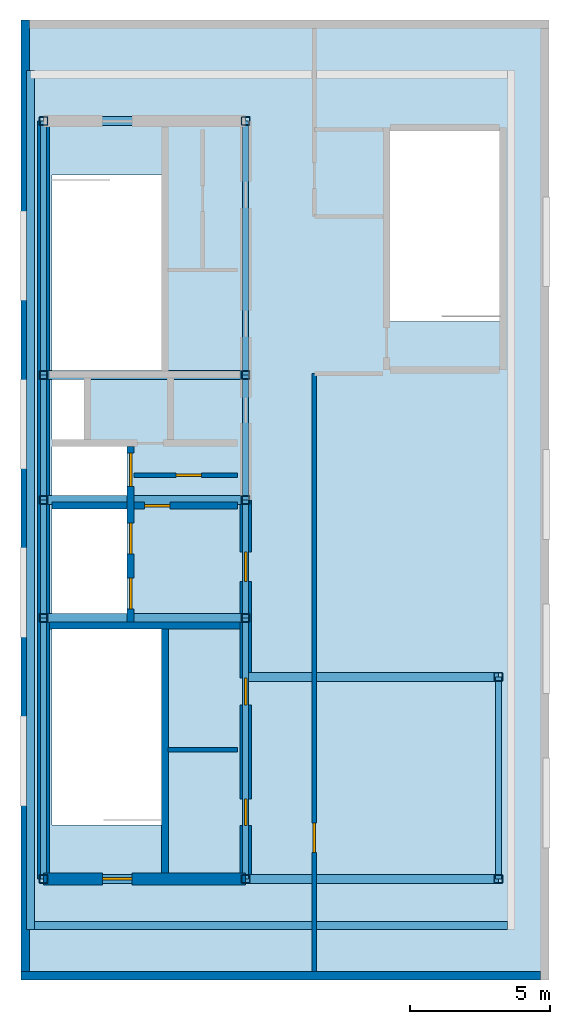
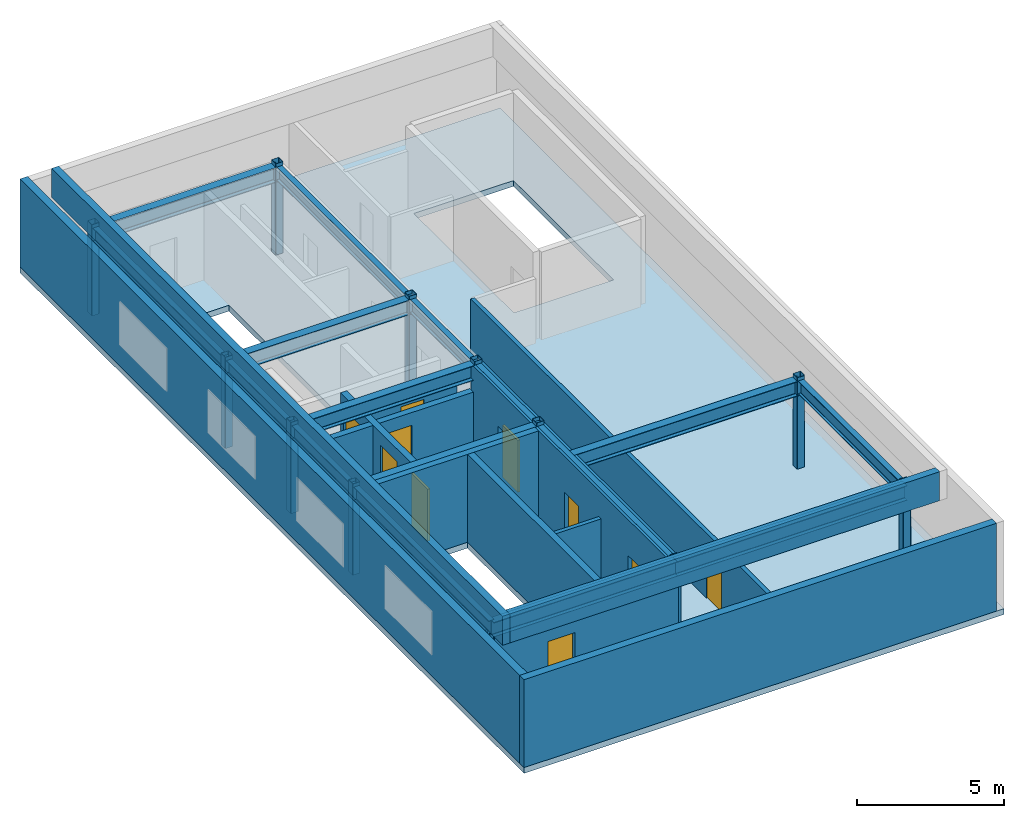
# One storey, part 1 of 3: 16 beams, 14 walls, 12 columns, 10 doors, 1 slab, 10 openings.
"""IFC4 building model written with IfcOpenShell, lengths in metres."""

from ifc_helpers import new_model, entity, si_unit, converted_unit, direction, frame, origin_with_axes, origin_2d_with_axis, place, context, subcontext, project, spatial, polyline, rectangle, hollow_rectangle, i_section, outline, extrude, material, layer, layer_set, material_profile, profile_set, type_object, element, fill, save


model = new_model("IFC4")

# Units and contexts
model_context = context("Model", 3, precision=1e-05, world=origin_with_axes(), true_north=direction((0.0, 1.0)))
body_context = subcontext(model_context, "Body", "Model", "MODEL_VIEW")
ifc_project = project(units=[si_unit("LENGTHUNIT", "METRE"), si_unit("AREAUNIT", "SQUARE_METRE"), si_unit("VOLUMEUNIT", "CUBIC_METRE"), converted_unit("PLANEANGLEUNIT", "DEGREE", entity("IfcPlaneAngleMeasure", 0.017453292519943295), si_unit("PLANEANGLEUNIT", "RADIAN"), dimensions=[0, 0, 0, 0, 0, 0, 0]), si_unit("MASSUNIT", "GRAM", prefix="KILO"), si_unit("THERMODYNAMICTEMPERATUREUNIT", "KELVIN")], contexts=[model_context])

# Site, building, storey
site_placement = place(None, origin_with_axes())
site = spatial("IfcSite", under=ifc_project, at=site_placement, CompositionType="ELEMENT")
building_placement = place(site_placement, origin_with_axes())
building = spatial("IfcBuilding", under=site, at=building_placement, Name="Varnlund Millrace Tower", CompositionType="ELEMENT")
storey_placement = place(building_placement, frame((0.0, 0.0, 332.1), z_axis=(0.0, 0.0, 1.0), x_axis=(1.0, 0.0, 0.0)))
storey = spatial("IfcBuildingStorey", under=building, at=storey_placement, Name="L82", CompositionType="ELEMENT", Elevation=332.1)

# Columns
ifc_material_1 = material(Name="Steel ASTM A500 Grade C", Category="steel")
ifc_material_profile_1 = material_profile(ifc_material_1, hollow_rectangle(XDim=0.305, YDim=0.305, WallThickness=0.0147, InnerFilletRadius=0.015, OuterFilletRadius=0.03, at=origin_2d_with_axis()), Name="Steel ASTM A500 Grade C")
ifc_profile_set_1 = profile_set([ifc_material_profile_1], Name="Steel ASTM A500 Grade C")
column_type = type_object("IfcColumnType", Name="Type-Col-Crn-HSS12", PredefinedType="COLUMN", material=ifc_profile_set_1)
for number, where, z_axis, x_axis, name in (
    (1, (11.4, 10.8, 0.0), (0.0, 0.0, 1.0), (1.0, 0.0, 0.0), "Type-Col-Crn-HSS12"),
    (2, (11.4, 20.1, 0.0), (0.0, 0.0, 1.0), (1.0, 0.0, 0.0), "Type-Col-Crn-HSS12"),
    (3, (11.4, 24.3, 0.0), (0.0, 0.0, 1.0), (1.0, 0.0, 0.0), "Type-Col-Crn-HSS12"),
    (4, (11.4, 28.75, 0.0), (0.0, 0.0, 1.0), (1.0, 0.0, 0.0), "Type-Col-Crn-HSS12"),
    (5, (11.4, 37.8, 0.0), (0.0, 0.0, 1.0), (1.0, 0.0, 0.0), "Type-Col-Crn-HSS12"),
    (6, (18.6, 10.8, 0.0), (0.0, 0.0, 1.0), (1.0, 0.0, 0.0), "Type-Col-Crn-HSS12"),
    (7, (18.6, 20.1, 0.0), (0.0, 0.0, 1.0), (1.0, 0.0, 0.0), "Type-Col-Crn-HSS12"),
    (8, (18.6, 24.3, 0.0), (0.0, 0.0, 1.0), (1.0, 0.0, 0.0), "Type-Col-Crn-HSS12"),
    (9, (18.6, 28.75, 0.0), (0.0, 0.0, 1.0), (1.0, 0.0, 0.0), "Type-Col-Crn-HSS12"),
    (10, (18.6, 37.8, 0.0), (0.0, 0.0, 1.0), (1.0, 0.0, 0.0), "Type-Col-Crn-HSS12"),
    (11, (27.6, 10.8, 0.0), (0.0, 0.0, 1.0), (1.0, 0.0, 0.0), "Type-Col-Crn-HSS12"),
    (12, (27.6, 18.0, 0.0), (0.0, 0.0, 1.0), (1.0, 0.0, 0.0), "Type-Col-Crn-HSS12"),
):
    element("IfcColumn", number, at=place(storey_placement, frame(where, z_axis=z_axis, x_axis=x_axis)), inside=storey, type_object=column_type, Name=name, PredefinedType="COLUMN", context=body_context, shape_type="SweptSolid", body=[
        extrude(hollow_rectangle(XDim=0.305, YDim=0.305, WallThickness=0.0147, InnerFilletRadius=0.015, OuterFilletRadius=0.03, at=origin_2d_with_axis()), origin_with_axes(), (0.0, 0.0, 1.0), 3.783),
    ])

# Beams
ifc_material_2 = material(Name="Steel ASTM A992 Grade 50", Category="steel")
ifc_material_profile_2 = material_profile(ifc_material_2, i_section(OverallWidth=0.214, OverallDepth=0.549, WebThickness=0.0147, FlangeThickness=0.0236, FilletRadius=0.015, at=origin_2d_with_axis()), Name="Steel ASTM A992 Grade 50")
ifc_profile_set_2 = profile_set([ifc_material_profile_2], Name="Steel ASTM A992 Grade 50")
beam_type_1 = type_object("IfcBeamType", Name="Type-Beam-W21X93", PredefinedType="BEAM", material=ifc_profile_set_2)
beam_1_placement = place(storey_placement, frame((11.4, 10.8, 3.3655), z_axis=(0.0, 1.0, 0.0), x_axis=(-1.0, 0.0, 0.0)))
element("IfcBeam", 13, at=beam_1_placement, inside=storey, type_object=beam_type_1, Name="Type-Beam-W21X93", PredefinedType="BEAM", context=body_context, shape_type="SweptSolid", body=[
    extrude(i_section(OverallWidth=0.214, OverallDepth=0.549, WebThickness=0.0147, FlangeThickness=0.0236, FilletRadius=0.015, at=origin_2d_with_axis()), origin_with_axes(), (0.0, 0.0, 1.0), 9.3),
])
beam_2_placement = place(storey_placement, frame((11.4, 20.1, 3.3655), z_axis=(0.0, 1.0, 0.0), x_axis=(-1.0, 0.0, 0.0)))
element("IfcBeam", 14, at=beam_2_placement, inside=storey, type_object=beam_type_1, Name="Type-Beam-W21X93", PredefinedType="BEAM", context=body_context, shape_type="SweptSolid", body=[
    extrude(i_section(OverallWidth=0.214, OverallDepth=0.549, WebThickness=0.0147, FlangeThickness=0.0236, FilletRadius=0.015, at=origin_2d_with_axis()), origin_with_axes(), (0.0, 0.0, 1.0), 4.2),
])
beam_3_placement = place(storey_placement, frame((11.4, 24.3, 3.3655), z_axis=(0.0, 1.0, 0.0), x_axis=(-1.0, 0.0, 0.0)))
element("IfcBeam", 15, at=beam_3_placement, inside=storey, type_object=beam_type_1, Name="Type-Beam-W21X93", PredefinedType="BEAM", context=body_context, shape_type="SweptSolid", body=[
    extrude(i_section(OverallWidth=0.214, OverallDepth=0.549, WebThickness=0.0147, FlangeThickness=0.0236, FilletRadius=0.015, at=origin_2d_with_axis()), origin_with_axes(), (0.0, 0.0, 1.0), 4.45),
])
beam_4_placement = place(storey_placement, frame((11.4, 28.75, 3.3655), z_axis=(0.0, 1.0, 0.0), x_axis=(-1.0, 0.0, 0.0)))
element("IfcBeam", 16, at=beam_4_placement, inside=storey, type_object=beam_type_1, Name="Type-Beam-W21X93", PredefinedType="BEAM", context=body_context, shape_type="SweptSolid", body=[
    extrude(i_section(OverallWidth=0.214, OverallDepth=0.549, WebThickness=0.0147, FlangeThickness=0.0236, FilletRadius=0.015, at=origin_2d_with_axis()), origin_with_axes(), (0.0, 0.0, 1.0), 9.05),
])
beam_5_placement = place(storey_placement, frame((18.6, 10.8, 3.3655), z_axis=(0.0, 1.0, 0.0), x_axis=(-1.0, 0.0, 0.0)))
element("IfcBeam", 17, at=beam_5_placement, inside=storey, type_object=beam_type_1, Name="Type-Beam-W21X93", PredefinedType="BEAM", context=body_context, shape_type="SweptSolid", body=[
    extrude(i_section(OverallWidth=0.214, OverallDepth=0.549, WebThickness=0.0147, FlangeThickness=0.0236, FilletRadius=0.015, at=origin_2d_with_axis()), origin_with_axes(), (0.0, 0.0, 1.0), 9.3),
])
beam_6_placement = place(storey_placement, frame((18.6, 20.1, 3.3655), z_axis=(0.0, 1.0, 0.0), x_axis=(-1.0, 0.0, 0.0)))
element("IfcBeam", 18, at=beam_6_placement, inside=storey, type_object=beam_type_1, Name="Type-Beam-W21X93", PredefinedType="BEAM", context=body_context, shape_type="SweptSolid", body=[
    extrude(i_section(OverallWidth=0.214, OverallDepth=0.549, WebThickness=0.0147, FlangeThickness=0.0236, FilletRadius=0.015, at=origin_2d_with_axis()), origin_with_axes(), (0.0, 0.0, 1.0), 4.2),
])
beam_7_placement = place(storey_placement, frame((18.6, 24.3, 3.3655), z_axis=(0.0, 1.0, 0.0), x_axis=(-1.0, 0.0, 0.0)))
element("IfcBeam", 19, at=beam_7_placement, inside=storey, type_object=beam_type_1, Name="Type-Beam-W21X93", PredefinedType="BEAM", context=body_context, shape_type="SweptSolid", body=[
    extrude(i_section(OverallWidth=0.214, OverallDepth=0.549, WebThickness=0.0147, FlangeThickness=0.0236, FilletRadius=0.015, at=origin_2d_with_axis()), origin_with_axes(), (0.0, 0.0, 1.0), 4.45),
])
beam_8_placement = place(storey_placement, frame((18.6, 28.75, 3.3655), z_axis=(0.0, 1.0, 0.0), x_axis=(-1.0, 0.0, 0.0)))
element("IfcBeam", 20, at=beam_8_placement, inside=storey, type_object=beam_type_1, Name="Type-Beam-W21X93", PredefinedType="BEAM", context=body_context, shape_type="SweptSolid", body=[
    extrude(i_section(OverallWidth=0.214, OverallDepth=0.549, WebThickness=0.0147, FlangeThickness=0.0236, FilletRadius=0.015, at=origin_2d_with_axis()), origin_with_axes(), (0.0, 0.0, 1.0), 9.05),
])
beam_9_placement = place(storey_placement, frame((27.6, 10.8, 3.3655), z_axis=(0.0, 1.0, 0.0), x_axis=(-1.0, 0.0, 0.0)))
element("IfcBeam", 21, at=beam_9_placement, inside=storey, type_object=beam_type_1, Name="Type-Beam-W21X93", PredefinedType="BEAM", context=body_context, shape_type="SweptSolid", body=[
    extrude(i_section(OverallWidth=0.214, OverallDepth=0.549, WebThickness=0.0147, FlangeThickness=0.0236, FilletRadius=0.015, at=origin_2d_with_axis()), origin_with_axes(), (0.0, 0.0, 1.0), 7.2),
])
ifc_material_profile_3 = material_profile(ifc_material_2, i_section(OverallWidth=0.324, OverallDepth=0.611, WebThickness=0.0127, FlangeThickness=0.0191, FilletRadius=0.016, at=origin_2d_with_axis()), Name="Steel ASTM A992 Grade 50")
ifc_profile_set_3 = profile_set([ifc_material_profile_3], Name="Steel ASTM A992 Grade 50")
beam_type_2 = type_object("IfcBeamType", Name="Type-Girder-W24X104", PredefinedType="USERDEFINED", material=ifc_profile_set_3)
beam_10_placement = place(storey_placement, frame((11.4, 10.8, 3.3345), z_axis=(1.0, 0.0, 0.0), x_axis=(0.0, 1.0, 0.0)))
element("IfcBeam", 22, at=beam_10_placement, inside=storey, type_object=beam_type_2, Name="Type-Girder-W24X104", ObjectType="GIRDER", PredefinedType="USERDEFINED", context=body_context, shape_type="SweptSolid", body=[
    extrude(i_section(OverallWidth=0.324, OverallDepth=0.611, WebThickness=0.0127, FlangeThickness=0.0191, FilletRadius=0.016, at=origin_2d_with_axis()), origin_with_axes(), (0.0, 0.0, 1.0), 7.2),
])
for number, where, z_axis, x_axis, name in (
    (23, (18.6, 10.8, 3.3345), (1.0, 0.0, 0.0), (0.0, 1.0, 0.0), "Type-Girder-W24X104"),
    (24, (18.6, 18.0, 3.3345), (1.0, 0.0, 0.0), (0.0, 1.0, 0.0), "Type-Girder-W24X104"),
):
    element("IfcBeam", number, at=place(storey_placement, frame(where, z_axis=z_axis, x_axis=x_axis)), inside=storey, type_object=beam_type_2, Name=name, ObjectType="GIRDER", PredefinedType="USERDEFINED", context=body_context, shape_type="SweptSolid", body=[
        extrude(i_section(OverallWidth=0.324, OverallDepth=0.611, WebThickness=0.0127, FlangeThickness=0.0191, FilletRadius=0.016, at=origin_2d_with_axis()), origin_with_axes(), (0.0, 0.0, 1.0), 9.0),
    ])
for number, where, z_axis, x_axis, name in (
    (25, (11.4, 20.1, 3.3345), (1.0, 0.0, 0.0), (0.0, 1.0, 0.0), "Type-Girder-W24X104"),
    (26, (11.4, 24.3, 3.3345), (1.0, 0.0, 0.0), (0.0, 1.0, 0.0), "Type-Girder-W24X104"),
    (27, (11.4, 28.75, 3.3345), (1.0, 0.0, 0.0), (0.0, 1.0, 0.0), "Type-Girder-W24X104"),
    (28, (11.4, 37.8, 3.3345), (1.0, 0.0, 0.0), (0.0, 1.0, 0.0), "Type-Girder-W24X104"),
):
    element("IfcBeam", number, at=place(storey_placement, frame(where, z_axis=z_axis, x_axis=x_axis)), inside=storey, type_object=beam_type_2, Name=name, ObjectType="GIRDER", PredefinedType="USERDEFINED", context=body_context, shape_type="SweptSolid", body=[
        extrude(i_section(OverallWidth=0.324, OverallDepth=0.611, WebThickness=0.0127, FlangeThickness=0.0191, FilletRadius=0.016, at=origin_2d_with_axis()), origin_with_axes(), (0.0, 0.0, 1.0), 7.2),
    ])

# Slab
ifc_material_3 = material(Name="Concrete C60/75", Category="concrete")
ifc_layer_1 = layer(ifc_material_3, 0.24, Name="Concrete C60/75")
ifc_layer_set_1 = layer_set([ifc_layer_1], Name="Concrete C60/75")
slab_type = type_object("IfcSlabType", Name="Type-Deck-Plate-Typical-240", PredefinedType="FLOOR", material=ifc_layer_set_1)
slab_placement = place(storey_placement, frame((0.0, 0.0, -0.24), z_axis=(0.0, 0.0, 1.0), x_axis=(1.0, 0.0, 0.0)))
element("IfcSlab", 29, at=slab_placement, inside=storey, type_object=slab_type, Name="Type-Deck-Plate-Typical-240", PredefinedType="FLOOR", context=body_context, shape_type="SweptSolid", body=[
    extrude(outline(polyline([(29.4, 7.2), (29.4, 41.4), (10.6, 41.4), (10.6, 7.2), (29.4, 7.2)]), holes=[polyline([(11.7, 19.7), (15.6, 19.7), (15.6, 12.715), (11.7, 12.715), (11.7, 19.7)]), polyline([(11.7, 19.94), (11.7, 23.98), (14.38, 23.98), (14.38, 19.94), (11.7, 19.94)]), polyline([(14.38, 26.2), (14.38, 24.24), (11.7, 24.24), (11.7, 26.2), (14.38, 26.2)]), polyline([(12.84, 28.65), (12.84, 26.46), (11.7, 26.46), (11.7, 28.65), (12.84, 28.65)]), polyline([(15.6, 35.885), (15.6, 28.9), (11.7, 28.9), (11.7, 35.885), (15.6, 35.885)]), polyline([(27.65, 37.45), (27.65, 30.665), (23.75, 30.665), (23.75, 37.45), (27.65, 37.45)])]), origin_with_axes(), (0.0, 0.0, 1.0), 0.24),
])

# Wall
ifc_layer_2 = layer(ifc_material_3, 0.42, Name="Concrete C60/75")
ifc_layer_set_2 = layer_set([ifc_layer_2], Name="Concrete C60/75")
wall_type_1 = type_object("IfcWallType", Name="Type-CoreWall-Shear-420-C60", PredefinedType="SHEAR", material=ifc_layer_set_2)
wall_1_placement = place(storey_placement, frame((11.4, 10.8, 0.0), z_axis=(0.0, 0.0, 1.0), x_axis=(0.0, 1.0, 0.0)))
element("IfcWall", 30, at=wall_1_placement, inside=storey, type_object=wall_type_1, Name="Type-CoreWall-Shear-420-C60", PredefinedType="SHEAR", context=body_context, shape_type="SweptSolid", body=[
    extrude(outline(polyline([(0.0, -0.21), (27.0, -0.21), (27.0, 0.21), (0.0, 0.21), (0.0, -0.21)])), origin_with_axes(), (0.0, 0.0, 1.0), 3.64),
])

# Wall, opening, door
wall_2_placement = place(storey_placement, frame((11.4, 10.8, 0.0), z_axis=(0.0, 0.0, 1.0), x_axis=(1.0, 0.0, 0.0)))
wall_2 = element("IfcWall", 31, at=wall_2_placement, inside=storey, type_object=wall_type_1, Name="Type-CoreWall-Shear-420-C60", PredefinedType="SHEAR", context=body_context, shape_type="SweptSolid", body=[
    extrude(outline(polyline([(0.0, -0.21), (7.2, -0.21), (7.2, 0.21), (0.0, 0.21), (0.0, -0.21)])), origin_with_axes(), (0.0, 0.0, 1.0), 3.64),
])
opening_1_placement = place(wall_2_placement, frame((2.625, 0.0, 0.0), z_axis=(0.0, 0.0, 1.0), x_axis=(1.0, 0.0, 0.0)))
opening_1 = element("IfcOpeningElement", 32, at=opening_1_placement, cuts=wall_2, Name="Opening L82:DR-STA1", PredefinedType="OPENING", context=body_context, shape_type="SweptSolid", body=[
    extrude(rectangle(XDim=1.05, YDim=0.44, at=origin_2d_with_axis()), origin_with_axes(), (0.0, 0.0, 1.0), 2.15),
])
ifc_material_4 = material(Name="Fire-rated hollow steel door", Category="steel")
door_type_1 = type_object("IfcDoorType", Name="Type-FireDoor-Stair-1050X2150", OperationType="NOTDEFINED", PredefinedType="DOOR", material=ifc_material_4)
door_1_placement = place(wall_2_placement, frame((2.625, 0.0, 0.0), z_axis=(0.0, 0.0, 1.0), x_axis=(1.0, 0.0, 0.0)))
door_1 = element("IfcDoor", 33, at=door_1_placement, inside=storey, type_object=door_type_1, Name="Type-FireDoor-Stair-1050X2150", OperationType="SINGLE_SWING_LEFT", OverallHeight=2.15, OverallWidth=1.05, PredefinedType="DOOR", context=body_context, shape_type="SweptSolid", body=[
    extrude(rectangle(XDim=1.05, YDim=0.09, at=origin_2d_with_axis()), origin_with_axes(), (0.0, 0.0, 1.0), 2.15),
])
fill(opening_1, door_1)

# Wall, openings, doors
wall_3_placement = place(storey_placement, frame((18.6, 10.8, 0.0), z_axis=(0.0, 0.0, 1.0), x_axis=(0.0, 1.0, 0.0)))
wall_3 = element("IfcWall", 34, at=wall_3_placement, inside=storey, type_object=wall_type_1, Name="Type-CoreWall-Shear-420-C60", PredefinedType="SHEAR", context=body_context, shape_type="SweptSolid", body=[
    extrude(outline(polyline([(0.0, -0.21), (13.5, -0.21), (13.5, 0.21), (0.0, 0.21), (0.0, -0.21)])), origin_with_axes(), (0.0, 0.0, 1.0), 3.64),
])
opening_2_placement = place(wall_3_placement, frame((11.125, 0.0, 0.0), z_axis=(0.0, 0.0, 1.0), x_axis=(1.0, 0.0, 0.0)))
opening_2 = element("IfcOpeningElement", 35, at=opening_2_placement, cuts=wall_3, Name="Opening L82:DR-FFLOB-A", PredefinedType="OPENING", context=body_context, shape_type="SweptSolid", body=[
    extrude(rectangle(XDim=1.05, YDim=0.44, at=origin_2d_with_axis()), origin_with_axes(), (0.0, 0.0, 1.0), 2.15),
])
opening_3_placement = place(wall_3_placement, frame((2.375, 0.0, 0.0), z_axis=(0.0, 0.0, 1.0), x_axis=(1.0, 0.0, 0.0)))
opening_3 = element("IfcOpeningElement", 36, at=opening_3_placement, cuts=wall_3, Name="Opening L82:DR-CRN-C1", PredefinedType="OPENING", context=body_context, shape_type="SweptSolid", body=[
    extrude(rectangle(XDim=0.95, YDim=0.44, at=origin_2d_with_axis()), origin_with_axes(), (0.0, 0.0, 1.0), 2.15),
])
opening_4_placement = place(wall_3_placement, frame((6.675, 0.0, 0.0), z_axis=(0.0, 0.0, 1.0), x_axis=(1.0, 0.0, 0.0)))
opening_4 = element("IfcOpeningElement", 37, at=opening_4_placement, cuts=wall_3, Name="Opening L82:DR-CRN-C2", PredefinedType="OPENING", context=body_context, shape_type="SweptSolid", body=[
    extrude(rectangle(XDim=0.95, YDim=0.44, at=origin_2d_with_axis()), origin_with_axes(), (0.0, 0.0, 1.0), 2.15),
])
ifc_material_5 = material(Name="Smoke-barrier hollow steel fire door", Category="steel")
door_type_2 = type_object("IfcDoorType", Name="Type-FireDoor-Lobby-1050X2150", OperationType="NOTDEFINED", PredefinedType="DOOR", material=ifc_material_5)
door_2_placement = place(wall_3_placement, frame((11.125, 0.0, 0.0), z_axis=(0.0, 0.0, 1.0), x_axis=(1.0, 0.0, 0.0)))
door_2 = element("IfcDoor", 38, at=door_2_placement, inside=storey, type_object=door_type_2, Name="Type-FireDoor-Lobby-1050X2150", OperationType="SINGLE_SWING_LEFT", OverallHeight=2.15, OverallWidth=1.05, PredefinedType="DOOR", context=body_context, shape_type="SweptSolid", body=[
    extrude(rectangle(XDim=1.05, YDim=0.09, at=origin_2d_with_axis()), origin_with_axes(), (0.0, 0.0, 1.0), 2.15),
])
fill(opening_2, door_2)
ifc_material_6 = material(Name="Fire-rated hollow steel core service door", Category="steel")
door_type_3 = type_object("IfcDoorType", Name="Type-FireDoor-Service-950X2150", OperationType="NOTDEFINED", PredefinedType="DOOR", material=ifc_material_6)
door_3_placement = place(wall_3_placement, frame((2.375, 0.0, 0.0), z_axis=(0.0, 0.0, 1.0), x_axis=(1.0, 0.0, 0.0)))
door_3 = element("IfcDoor", 39, at=door_3_placement, inside=storey, type_object=door_type_3, Name="Type-FireDoor-Service-950X2150", OperationType="SINGLE_SWING_LEFT", OverallHeight=2.15, OverallWidth=0.95, PredefinedType="DOOR", context=body_context, shape_type="SweptSolid", body=[
    extrude(rectangle(XDim=0.95, YDim=0.09, at=origin_2d_with_axis()), origin_with_axes(), (0.0, 0.0, 1.0), 2.15),
])
fill(opening_3, door_3)
door_4_placement = place(wall_3_placement, frame((6.675, 0.0, 0.0), z_axis=(0.0, 0.0, 1.0), x_axis=(1.0, 0.0, 0.0)))
door_4 = element("IfcDoor", 40, at=door_4_placement, inside=storey, type_object=door_type_3, Name="Type-FireDoor-Service-950X2150", OperationType="SINGLE_SWING_RIGHT", OverallHeight=2.15, OverallWidth=0.95, PredefinedType="DOOR", context=body_context, shape_type="SweptSolid", body=[
    extrude(rectangle(XDim=0.95, YDim=0.09, at=origin_2d_with_axis()), origin_with_axes(), (0.0, 0.0, 1.0), 2.15),
])
fill(opening_4, door_4)

# Walls
ifc_material_7 = material(Name="Precast concrete C50/60", Category="concrete")
ifc_layer_3 = layer(ifc_material_7, 0.3, Name="Precast concrete C50/60")
ifc_layer_set_3 = layer_set([ifc_layer_3], Name="Precast concrete C50/60")
wall_type_2 = type_object("IfcWallType", Name="Type-ExtWall-Precast-Crown-300", PredefinedType="SOLIDWALL", material=ifc_layer_set_3)
wall_4_placement = place(storey_placement, frame((10.75, 7.5, 0.0), z_axis=(0.0, 0.0, 1.0), x_axis=(0.0, 1.0, 0.0)))
element("IfcWall", 41, at=wall_4_placement, inside=storey, type_object=wall_type_2, Name="Type-ExtWall-Precast-Crown-300", PredefinedType="SOLIDWALL", context=body_context, shape_type="SweptSolid", body=[
    extrude(outline(polyline([(0.0, -0.15), (33.9, -0.15), (33.9, 0.15), (0.0, 0.15), (0.0, -0.15)])), origin_with_axes(), (0.0, 0.0, 1.0), 3.64),
])
wall_5_placement = place(storey_placement, frame((29.1, 7.35, 0.0), z_axis=(0.0, 0.0, 1.0), x_axis=(-1.0, 0.0, 0.0)))
element("IfcWall", 42, at=wall_5_placement, inside=storey, type_object=wall_type_2, Name="Type-ExtWall-Precast-Crown-300", PredefinedType="SOLIDWALL", context=body_context, shape_type="SweptSolid", body=[
    extrude(outline(polyline([(0.0, -0.15), (18.5, -0.15), (18.5, 0.15), (0.0, 0.15), (0.0, -0.15)])), origin_with_axes(), (0.0, 0.0, 1.0), 3.64),
])
ifc_layer_4 = layer(ifc_material_7, 0.28, Name="Precast concrete C50/60")
ifc_layer_set_4 = layer_set([ifc_layer_4], Name="Precast concrete C50/60")
wall_type_3 = type_object("IfcWallType", Name="Type-ParapetWall-Crown-280", PredefinedType="PARAPET", material=ifc_layer_set_4)
wall_6_placement = place(storey_placement, frame((10.94, 9.0, 3.9), z_axis=(0.0, 0.0, 1.0), x_axis=(0.0, 1.0, 0.0)))
element("IfcWall", 43, at=wall_6_placement, inside=storey, type_object=wall_type_3, Name="Type-ParapetWall-Crown-280", PredefinedType="PARAPET", context=body_context, shape_type="SweptSolid", body=[
    extrude(outline(polyline([(0.0, -0.14), (30.6, -0.14), (30.6, 0.14), (0.0, 0.14), (0.0, -0.14)])), origin_with_axes(), (0.0, 0.0, 1.0), 1.2),
])
wall_7_placement = place(storey_placement, frame((27.92, 9.14, 3.9), z_axis=(0.0, 0.0, 1.0), x_axis=(-1.0, 0.0, 0.0)))
element("IfcWall", 44, at=wall_7_placement, inside=storey, type_object=wall_type_3, Name="Type-ParapetWall-Crown-280", PredefinedType="PARAPET", context=body_context, shape_type="SweptSolid", body=[
    extrude(outline(polyline([(0.0, -0.14), (16.84, -0.14), (16.84, 0.14), (0.0, 0.14), (0.0, -0.14)])), origin_with_axes(), (0.0, 0.0, 1.0), 1.2),
])

# Wall, opening, door
ifc_material_8 = material(Name="Fire-rated gypsum board on cold-formed steel framing", Category="steel")
ifc_layer_5 = layer(ifc_material_8, 0.16, Name="Fire-rated gypsum board on cold-formed steel framing")
ifc_layer_set_5 = layer_set([ifc_layer_5], Name="Fire-rated gypsum board on cold-formed steel framing")
wall_type_4 = type_object("IfcWallType", Name="Type-Partition-Corridor-160", PredefinedType="PARTITIONING", material=ifc_layer_set_5)
wall_8_placement = place(storey_placement, frame((14.62, 25.18, 0.0), z_axis=(0.0, 0.0, 1.0), x_axis=(1.0, 0.0, 0.0)))
wall_8 = element("IfcWall", 45, at=wall_8_placement, inside=storey, type_object=wall_type_4, Name="Type-Partition-Corridor-160", PredefinedType="PARTITIONING", context=body_context, shape_type="SweptSolid", body=[
    extrude(outline(polyline([(0.0, -0.08), (3.68, -0.08), (3.68, 0.08), (0.0, 0.08), (0.0, -0.08)])), origin_with_axes(), (0.0, 0.0, 1.0), 2.68),
])
opening_5_placement = place(wall_8_placement, frame((1.95, 0.0, 0.0), z_axis=(0.0, 0.0, 1.0), x_axis=(1.0, 0.0, 0.0)))
opening_5 = element("IfcOpeningElement", 46, at=opening_5_placement, cuts=wall_8, Name="Opening L82:DR-CA-SUB2", PredefinedType="OPENING", context=body_context, shape_type="SweptSolid", body=[
    extrude(rectangle(XDim=0.9, YDim=0.18, at=origin_2d_with_axis()), origin_with_axes(), (0.0, 0.0, 1.0), 2.15),
])
ifc_material_9 = material(Name="Painted steel riser and closet door", Category="steel")
door_type_4 = type_object("IfcDoorType", Name="Type-IntDoor-Closet-900X2150", OperationType="NOTDEFINED", PredefinedType="DOOR", material=ifc_material_9)
door_5_placement = place(wall_8_placement, frame((1.95, 0.0, 0.0), z_axis=(0.0, 0.0, 1.0), x_axis=(1.0, 0.0, 0.0)))
door_5 = element("IfcDoor", 47, at=door_5_placement, inside=storey, type_object=door_type_4, Name="Type-IntDoor-Closet-900X2150", OperationType="SINGLE_SWING_LEFT", OverallHeight=2.15, OverallWidth=0.9, PredefinedType="DOOR", context=body_context, shape_type="SweptSolid", body=[
    extrude(rectangle(XDim=0.9, YDim=0.09, at=origin_2d_with_axis()), origin_with_axes(), (0.0, 0.0, 1.0), 2.15),
])
fill(opening_5, door_5)

# Wall
wall_9_placement = place(storey_placement, frame((15.84, 15.4, 0.0), z_axis=(0.0, 0.0, 1.0), x_axis=(1.0, 0.0, 0.0)))
element("IfcWall", 48, at=wall_9_placement, inside=storey, type_object=wall_type_4, Name="Type-Partition-Corridor-160", PredefinedType="PARTITIONING", context=body_context, shape_type="SweptSolid", body=[
    extrude(outline(polyline([(0.0, -0.08), (2.46, -0.08), (2.46, 0.08), (0.0, 0.08), (0.0, -0.08)])), origin_with_axes(), (0.0, 0.0, 1.0), 2.68),
])

# Wall, opening, door
wall_10_placement = place(storey_placement, frame((21.05, 7.495, 0.0), z_axis=(0.0, 0.0, 1.0), x_axis=(0.0, 1.0, 0.0)))
wall_10 = element("IfcWall", 49, at=wall_10_placement, inside=storey, type_object=wall_type_4, Name="Type-Partition-Corridor-160", PredefinedType="PARTITIONING", context=body_context, shape_type="SweptSolid", body=[
    extrude(outline(polyline([(0.0, -0.08), (21.305, -0.08), (21.305, 0.08), (0.0, 0.08), (0.0, -0.08)])), origin_with_axes(), (0.0, 0.0, 1.0), 2.68),
])
opening_6_placement = place(wall_10_placement, frame((4.78, 0.0, 0.0), z_axis=(0.0, 0.0, 1.0), x_axis=(1.0, 0.0, 0.0)))
opening_6 = element("IfcOpeningElement", 50, at=opening_6_placement, cuts=wall_10, Name="Opening L82:DR-CRN-PLT", PredefinedType="OPENING", context=body_context, shape_type="SweptSolid", body=[
    extrude(rectangle(XDim=1.05, YDim=0.18, at=origin_2d_with_axis()), origin_with_axes(), (0.0, 0.0, 1.0), 2.15),
])
door_6_placement = place(wall_10_placement, frame((4.78, 0.0, 0.0), z_axis=(0.0, 0.0, 1.0), x_axis=(1.0, 0.0, 0.0)))
door_6 = element("IfcDoor", 51, at=door_6_placement, inside=storey, type_object=door_type_2, Name="Type-FireDoor-Lobby-1050X2150", OperationType="SINGLE_SWING_LEFT", OverallHeight=2.15, OverallWidth=1.05, PredefinedType="DOOR", context=body_context, shape_type="SweptSolid", body=[
    extrude(rectangle(XDim=1.05, YDim=0.09, at=origin_2d_with_axis()), origin_with_axes(), (0.0, 0.0, 1.0), 2.15),
])
fill(opening_6, door_6)

# Wall, openings, doors
ifc_layer_6 = layer(ifc_material_3, 0.25, Name="Concrete C60/75")
ifc_layer_set_6 = layer_set([ifc_layer_6], Name="Concrete C60/75")
wall_type_5 = type_object("IfcWallType", Name="Type-ShaftWall-Fire-250", PredefinedType="SOLIDWALL", material=ifc_layer_set_6)
wall_11_placement = place(storey_placement, frame((14.5, 19.95, 0.0), z_axis=(0.0, 0.0, 1.0), x_axis=(0.0, 1.0, 0.0)))
wall_11 = element("IfcWall", 52, at=wall_11_placement, inside=storey, type_object=wall_type_5, Name="Type-ShaftWall-Fire-250", PredefinedType="SOLIDWALL", context=body_context, shape_type="SweptSolid", body=[
    extrude(outline(polyline([(0.0, -0.125), (6.25, -0.125), (6.25, 0.125), (0.0, 0.125), (0.0, -0.125)])), origin_with_axes(), (0.0, 0.0, 1.0), 2.68),
])
opening_7_placement = place(wall_11_placement, frame((1.025, 0.0, 0.0), z_axis=(0.0, 0.0, 1.0), x_axis=(1.0, 0.0, 0.0)))
opening_7 = element("IfcOpeningElement", 53, at=opening_7_placement, cuts=wall_11, Name="Opening L82:LD-FSAE1", PredefinedType="OPENING", context=body_context, shape_type="SweptSolid", body=[
    extrude(rectangle(XDim=1.1, YDim=0.27, at=origin_2d_with_axis()), origin_with_axes(), (0.0, 0.0, 1.0), 2.15),
])
opening_8_placement = place(wall_11_placement, frame((2.975, 0.0, 0.0), z_axis=(0.0, 0.0, 1.0), x_axis=(1.0, 0.0, 0.0)))
opening_8 = element("IfcOpeningElement", 54, at=opening_8_placement, cuts=wall_11, Name="Opening L82:LD-FSAE2", PredefinedType="OPENING", context=body_context, shape_type="SweptSolid", body=[
    extrude(rectangle(XDim=1.1, YDim=0.27, at=origin_2d_with_axis()), origin_with_axes(), (0.0, 0.0, 1.0), 2.15),
])
opening_9_placement = place(wall_11_placement, frame((5.425, 0.0, 0.0), z_axis=(0.0, 0.0, 1.0), x_axis=(1.0, 0.0, 0.0)))
opening_9 = element("IfcOpeningElement", 55, at=opening_9_placement, cuts=wall_11, Name="Opening L82:LD-SRV1", PredefinedType="OPENING", context=body_context, shape_type="SweptSolid", body=[
    extrude(rectangle(XDim=1.2, YDim=0.27, at=origin_2d_with_axis()), origin_with_axes(), (0.0, 0.0, 1.0), 2.15),
])
ifc_material_10 = material(Name="Stainless and architectural bronze sliding landing door")
door_type_5 = type_object("IfcDoorType", Name="Type-LiftLandingDoor-1100X2150", OperationType="NOTDEFINED", PredefinedType="DOOR", material=ifc_material_10)
door_7_placement = place(wall_11_placement, frame((1.025, 0.0, 0.0), z_axis=(0.0, 0.0, 1.0), x_axis=(1.0, 0.0, 0.0)))
door_7 = element("IfcDoor", 56, at=door_7_placement, inside=storey, type_object=door_type_5, Name="Type-LiftLandingDoor-1100X2150", OperationType="SLIDING_TO_LEFT", OverallHeight=2.15, OverallWidth=1.1, PredefinedType="DOOR", context=body_context, shape_type="SweptSolid", body=[
    extrude(rectangle(XDim=1.1, YDim=0.09, at=origin_2d_with_axis()), origin_with_axes(), (0.0, 0.0, 1.0), 2.15),
])
fill(opening_7, door_7)
door_8_placement = place(wall_11_placement, frame((2.975, 0.0, 0.0), z_axis=(0.0, 0.0, 1.0), x_axis=(1.0, 0.0, 0.0)))
door_8 = element("IfcDoor", 57, at=door_8_placement, inside=storey, type_object=door_type_5, Name="Type-LiftLandingDoor-1100X2150", OperationType="SLIDING_TO_RIGHT", OverallHeight=2.15, OverallWidth=1.1, PredefinedType="DOOR", context=body_context, shape_type="SweptSolid", body=[
    extrude(rectangle(XDim=1.1, YDim=0.09, at=origin_2d_with_axis()), origin_with_axes(), (0.0, 0.0, 1.0), 2.15),
])
fill(opening_8, door_8)
ifc_material_11 = material(Name="Heavy-duty freight sliding landing door")
door_type_6 = type_object("IfcDoorType", Name="Type-LiftLandingDoor-Service-1200X2150", OperationType="NOTDEFINED", PredefinedType="DOOR", material=ifc_material_11)
door_9_placement = place(wall_11_placement, frame((5.425, 0.0, 0.0), z_axis=(0.0, 0.0, 1.0), x_axis=(1.0, 0.0, 0.0)))
door_9 = element("IfcDoor", 58, at=door_9_placement, inside=storey, type_object=door_type_6, Name="Type-LiftLandingDoor-Service-1200X2150", OperationType="DOUBLE_DOOR_SLIDING", OverallHeight=2.15, OverallWidth=1.2, PredefinedType="DOOR", context=body_context, shape_type="SweptSolid", body=[
    extrude(rectangle(XDim=1.2, YDim=0.09, at=origin_2d_with_axis()), origin_with_axes(), (0.0, 0.0, 1.0), 2.15),
])
fill(opening_9, door_9)

# Wall, opening, door
wall_12_placement = place(storey_placement, frame((11.7, 24.1, 0.0), z_axis=(0.0, 0.0, 1.0), x_axis=(1.0, 0.0, 0.0)))
wall_12 = element("IfcWall", 59, at=wall_12_placement, inside=storey, type_object=wall_type_5, Name="Type-ShaftWall-Fire-250", PredefinedType="SOLIDWALL", context=body_context, shape_type="SweptSolid", body=[
    extrude(outline(polyline([(0.0, -0.125), (6.6, -0.125), (6.6, 0.125), (0.0, 0.125), (0.0, -0.125)])), origin_with_axes(), (0.0, 0.0, 1.0), 2.68),
])
opening_10_placement = place(wall_12_placement, frame((3.75, 0.0, 0.0), z_axis=(0.0, 0.0, 1.0), x_axis=(1.0, 0.0, 0.0)))
opening_10 = element("IfcOpeningElement", 60, at=opening_10_placement, cuts=wall_12, Name="Opening L82:DR-CA-SUB1", PredefinedType="OPENING", context=body_context, shape_type="SweptSolid", body=[
    extrude(rectangle(XDim=0.9, YDim=0.27, at=origin_2d_with_axis()), origin_with_axes(), (0.0, 0.0, 1.0), 2.15),
])
ifc_material_12 = material(Name="Fire-rated hollow steel service closet door", Category="steel")
door_type_7 = type_object("IfcDoorType", Name="Type-FireDoor-Closet-900X2150", OperationType="NOTDEFINED", PredefinedType="DOOR", material=ifc_material_12)
door_10_placement = place(wall_12_placement, frame((3.75, 0.0, 0.0), z_axis=(0.0, 0.0, 1.0), x_axis=(1.0, 0.0, 0.0)))
door_10 = element("IfcDoor", 61, at=door_10_placement, inside=storey, type_object=door_type_7, Name="Type-FireDoor-Closet-900X2150", OperationType="SINGLE_SWING_LEFT", OverallHeight=2.15, OverallWidth=0.9, PredefinedType="DOOR", context=body_context, shape_type="SweptSolid", body=[
    extrude(rectangle(XDim=0.9, YDim=0.09, at=origin_2d_with_axis()), origin_with_axes(), (0.0, 0.0, 1.0), 2.15),
])
fill(opening_10, door_10)

# Walls
wall_type_6 = type_object("IfcWallType", Name="Type-StairWall-Shear-250", PredefinedType="SHEAR", material=ifc_layer_set_6)
wall_13_placement = place(storey_placement, frame((15.725, 11.01, 0.0), z_axis=(0.0, 0.0, 1.0), x_axis=(0.0, 1.0, 0.0)))
element("IfcWall", 62, at=wall_13_placement, inside=storey, type_object=wall_type_6, Name="Type-StairWall-Shear-250", PredefinedType="SHEAR", context=body_context, shape_type="SweptSolid", body=[
    extrude(outline(polyline([(0.0, -0.125), (8.69, -0.125), (8.69, 0.125), (0.0, 0.125), (0.0, -0.125)])), origin_with_axes(), (0.0, 0.0, 1.0), 3.64),
])
wall_14_placement = place(storey_placement, frame((11.61, 19.825, 0.0), z_axis=(0.0, 0.0, 1.0), x_axis=(1.0, 0.0, 0.0)))
element("IfcWall", 63, at=wall_14_placement, inside=storey, type_object=wall_type_6, Name="Type-StairWall-Shear-250", PredefinedType="SHEAR", context=body_context, shape_type="SweptSolid", body=[
    extrude(outline(polyline([(0.0, -0.125), (6.78, -0.125), (6.78, 0.125), (0.0, 0.125), (0.0, -0.125)])), origin_with_axes(), (0.0, 0.0, 1.0), 3.64),
])

save(model, "model.ifc")
